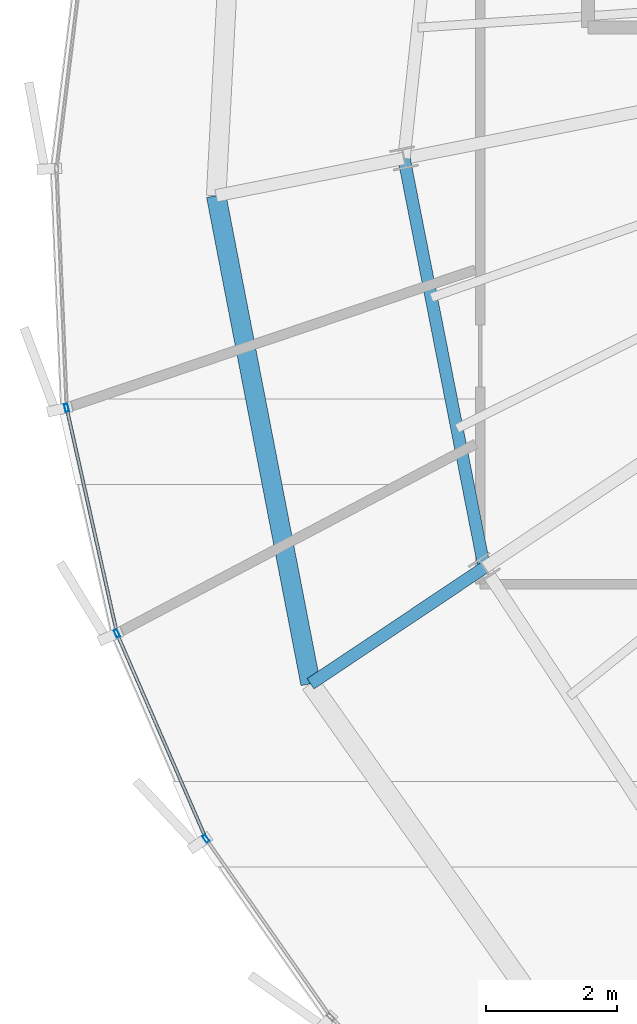
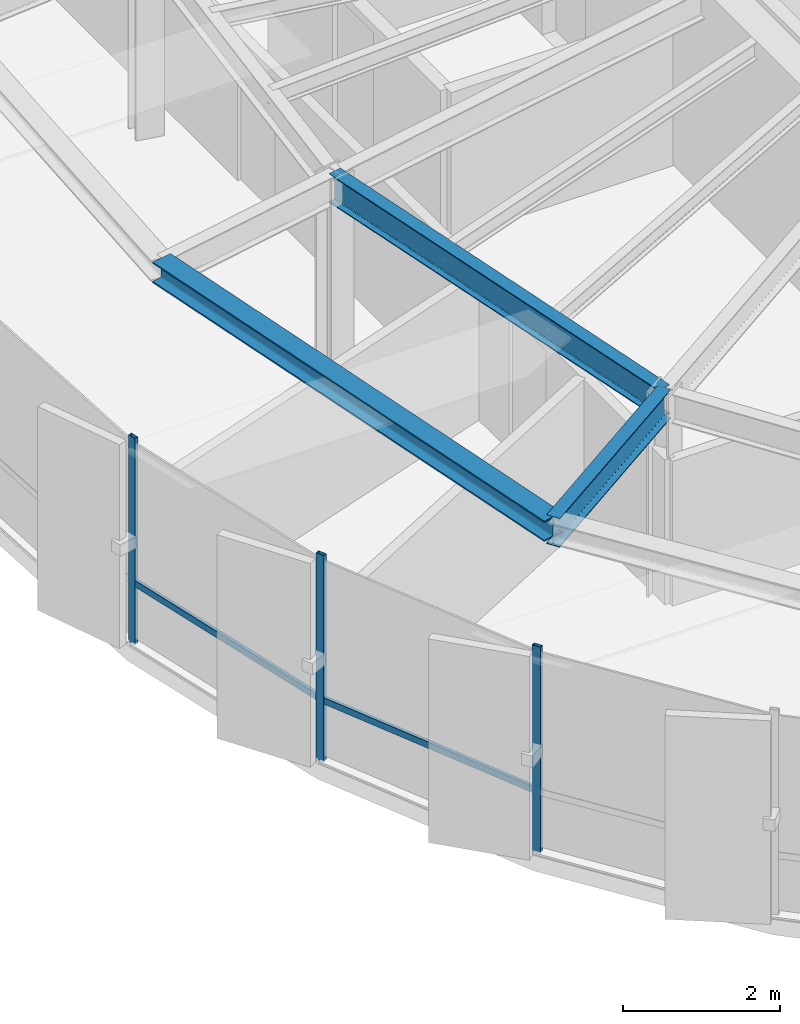
# One storey, part 4 of 35: 5 members, 3 beams, 1 element without a shape of its own.
"""IFC4 building model written with IfcOpenShell, lengths in metres."""

from ifc_helpers import new_model, si_unit, direction, frame, origin, origin_2d, place, context, subcontext, project, spatial, hollow_rectangle, i_section, extrude, source, transform, mapped, material, layer, layer_set, material_profile, profile_set, type_object, element, aggregate, save


model = new_model("IFC4")

# Units and contexts
model_context = context("Model", 3, precision=1e-05, world=origin(), true_north=direction((0.0, 1.0)))
body_context = subcontext(model_context, "Body", "Model", "MODEL_VIEW")
ifc_project = project(units=[si_unit("LENGTHUNIT", "METRE"), si_unit("AREAUNIT", "SQUARE_METRE"), si_unit("VOLUMEUNIT", "CUBIC_METRE"), si_unit("PLANEANGLEUNIT", "RADIAN"), si_unit("MASSUNIT", "GRAM", prefix="KILO"), si_unit("THERMODYNAMICTEMPERATUREUNIT", "KELVIN")], contexts=[model_context])

# Site, building, storey
site_placement = place(None, origin())
site = spatial("IfcSite", under=ifc_project, at=site_placement, CompositionType="ELEMENT")
building_placement = place(site_placement, origin())
building = spatial("IfcBuilding", under=site, at=building_placement, Name="Kethvar Cultural Tower", CompositionType="ELEMENT")
storey_placement = place(building_placement, frame((0.0, 0.0, 249.10009765625)))
storey = spatial("IfcBuildingStorey", under=building, at=storey_placement, Name="L65", CompositionType="ELEMENT", Elevation=249.10009765625)

# Beams
ifc_material_1 = material(Name="Steel S355J2", Category="steel")
ifc_material_profile_1 = material_profile(ifc_material_1, i_section(OverallWidth=0.18994140625, OverallDepth=0.449951171875, WebThickness=0.009521484375, FlangeThickness=0.0146484375, FilletRadius=0.02099609375, at=origin_2d()), Name="Steel S355J2 — IPE450")
ifc_profile_set_1 = profile_set([ifc_material_profile_1], Name="Steel S355J2 — IPE450")
beam_type_1 = type_object("IfcBeamType", Name="BM-IPE450", PredefinedType="BEAM", material=ifc_profile_set_1)
shared_shape_1 = source(origin(), body_context, "Body", "SweptSolid", [
    extrude(i_section(OverallWidth=0.18994140625, OverallDepth=0.449951171875, WebThickness=0.009521484375, FlangeThickness=0.0146484375, FilletRadius=0.02099609375, at=origin_2d()), origin(), (0.0, 0.0, 1.0), 3.199951171875),
])
beam_1_placement = place(storey_placement, frame((32.912841796875, 18.52099609375, 2.98291015625), z_axis=(-0.831462943996, -0.555580212716, 0.0), x_axis=(0.555580212716, -0.831462943996, 0.0)))
element("IfcBeam", 1, at=beam_1_placement, inside=storey, type_object=beam_type_1, Name="L65 Perimeter Cantilever Beam RC-10", PredefinedType="BEAM", context=body_context, shape_type="MappedRepresentation", body=[
    mapped(shared_shape_1, transform((0.0, 0.0, 0.0), scale=1.0)),
])
shared_shape_2 = source(origin(), body_context, "Body", "SweptSolid", [
    extrude(i_section(OverallWidth=0.18994140625, OverallDepth=0.449951171875, WebThickness=0.009521484375, FlangeThickness=0.0146484375, FilletRadius=0.02099609375, at=origin_2d()), origin(), (0.0, 0.0, 1.0), 6.391357421875),
])
beam_2_placement = place(storey_placement, frame((31.68310546875, 24.79296875, 2.98291015625), z_axis=(0.192405084368, -0.981315588131, 0.0), x_axis=(0.981315588131, 0.192405084368, 0.0)))
element("IfcBeam", 2, at=beam_2_placement, inside=storey, type_object=beam_type_1, Name="L65 Column Ring Tie Beam CR-09", PredefinedType="BEAM", context=body_context, shape_type="MappedRepresentation", body=[
    mapped(shared_shape_2, transform((0.0, 0.0, 0.0), scale=1.0)),
])
ifc_material_profile_2 = material_profile(ifc_material_1, i_section(OverallWidth=0.300048828125, OverallDepth=0.320068359375, WebThickness=0.011474609375, FlangeThickness=0.0205078125, FilletRadius=0.027099609375, at=origin_2d()), Name="Steel S355J2 — HEB320")
ifc_profile_set_2 = profile_set([ifc_material_profile_2], Name="Steel S355J2 — HEB320")
beam_type_2 = type_object("IfcBeamType", Name="BM-SP320", PredefinedType="SPANDREL", material=ifc_profile_set_2)
shared_shape_3 = source(origin(), body_context, "Body", "SweptSolid", [
    extrude(i_section(OverallWidth=0.300048828125, OverallDepth=0.320068359375, WebThickness=0.011474609375, FlangeThickness=0.0205078125, FilletRadius=0.027099609375, at=origin_2d()), origin(), (0.0, 0.0, 1.0), 7.615966796875),
])
beam_3_placement = place(storey_placement, frame((28.80615234375, 24.220703125, 3.0478515625), z_axis=(0.18986741188, -0.981809740177, 0.0), x_axis=(0.981809740177, 0.18986741188, 0.0)))
element("IfcBeam", 3, at=beam_3_placement, inside=storey, type_object=beam_type_2, Name="L65 Perimeter Spandrel Beam SP-09", PredefinedType="SPANDREL", context=body_context, shape_type="MappedRepresentation", body=[
    mapped(shared_shape_3, transform((0.0, 0.0, 0.0), scale=1.0)),
])

# Curtain wall, members
ifc_material_2 = material(Name="Aluminium 6063-T6", Category="aluminium")
ifc_layer = layer(ifc_material_2, 0.179931640625, Name="Aluminium 6063-T6", Category="aluminium")
ifc_layer_set = layer_set([ifc_layer], Name="Aluminium 6063-T6 (180 mm)")
curtain_wall_type = type_object("IfcCurtainWallType", Name="CW-SYS-05-Z56", PredefinedType="NOTDEFINED", material=ifc_layer_set)
curtain_wall_placement = place(storey_placement, origin())
curtain_wall = element("IfcCurtainWall", 4, at=curtain_wall_placement, inside=storey, type_object=curtain_wall_type, Name="L65 Curtain Wall Run 03", PredefinedType="NOTDEFINED")
ifc_material_profile_3 = material_profile(ifc_material_2, hollow_rectangle(XDim=0.054931640625, YDim=0.1201171875, WallThickness=0.00390625, at=origin_2d()), Name="Aluminium 6063-T6 — RHS120x55x4")
ifc_profile_set_3 = profile_set([ifc_material_profile_3], Name="Aluminium 6063-T6 — RHS120x55x4")
member_type_1 = type_object("IfcMemberType", Name="CW-SYS-05-Z56-MUL", PredefinedType="MULLION", material=ifc_profile_set_3)
shared_shape_4 = source(origin(), body_context, "Body", "SweptSolid", [
    extrude(hollow_rectangle(XDim=0.054931640625, YDim=0.1201171875, WallThickness=0.00390625, at=origin_2d()), origin(), (0.0, 0.0, 1.0), 3.2099609375),
])
member_1_placement = place(storey_placement, frame((26.51416015625, 20.97119140625, 0.0), z_axis=(0.0, 0.0, 1.0), x_axis=(0.975920569108, 0.218126208403, 0.0)))
member_1 = element("IfcMember", 5, at=member_1_placement, type_object=member_type_1, Name="CW-L65-R03 Mullion 3", PredefinedType="MULLION", context=body_context, shape_type="MappedRepresentation", body=[
    mapped(shared_shape_4, transform((0.0, 0.0, 0.0), scale=1.0)),
])
member_2_placement = place(storey_placement, frame((27.284912109375, 17.5146484375, 0.0), z_axis=(0.0, 0.0, 1.0), x_axis=(0.917296535366, 0.398204804347, 0.0)))
member_2 = element("IfcMember", 6, at=member_2_placement, type_object=member_type_1, Name="CW-L65-R03 Mullion 4", PredefinedType="MULLION", context=body_context, shape_type="MappedRepresentation", body=[
    mapped(shared_shape_4, transform((0.0, 0.0, 0.0), scale=1.0)),
])
member_3_placement = place(storey_placement, frame((28.647216796875, 14.371337890625, 0.0), z_axis=(0.0, 0.0, 1.0), x_axis=(0.819142033367, 0.573590733164, 0.0)))
member_3 = element("IfcMember", 7, at=member_3_placement, type_object=member_type_1, Name="CW-L65-R03 Mullion 5", PredefinedType="MULLION", context=body_context, shape_type="MappedRepresentation", body=[
    mapped(shared_shape_4, transform((0.0, 0.0, 0.0), scale=1.0)),
])
ifc_material_profile_4 = material_profile(ifc_material_2, hollow_rectangle(XDim=0.050048828125, YDim=0.10009765625, WallThickness=0.00390625, at=origin_2d()), Name="Aluminium 6063-T6 — RHS100x50x4")
ifc_profile_set_4 = profile_set([ifc_material_profile_4], Name="Aluminium 6063-T6 — RHS100x50x4")
member_type_2 = type_object("IfcMemberType", Name="CW-SYS-05-Z56-TRN", PredefinedType="USERDEFINED", material=ifc_profile_set_4)
shared_shape_5 = source(origin(), body_context, "Body", "SweptSolid", [
    extrude(hollow_rectangle(XDim=0.050048828125, YDim=0.10009765625, WallThickness=0.00390625, at=origin_2d()), origin(), (0.0, 0.0, 1.0), 3.481201171875),
])
member_4_placement = place(storey_placement, frame((26.522705078125, 20.9326171875, 0.949951171875), z_axis=(0.21818525529, -0.975907369771, 0.0), x_axis=(0.975907369771, 0.21818525529, 0.0)))
member_4 = element("IfcMember", 8, at=member_4_placement, type_object=member_type_2, Name="CW-L65-R03 Transom 3", ObjectType="TRANSOM", PredefinedType="USERDEFINED", context=body_context, shape_type="MappedRepresentation", body=[
    mapped(shared_shape_5, transform((0.0, 0.0, 0.0), scale=1.0)),
])
shared_shape_6 = source(origin(), body_context, "Body", "SweptSolid", [
    extrude(hollow_rectangle(XDim=0.050048828125, YDim=0.10009765625, WallThickness=0.00390625, at=origin_2d()), origin(), (0.0, 0.0, 1.0), 3.36669921875),
])
member_5_placement = place(storey_placement, frame((27.30078125, 17.478271484375, 0.949951171875), z_axis=(0.398177166272, -0.917308532752, 0.0), x_axis=(0.917308532752, 0.398177166272, 0.0)))
member_5 = element("IfcMember", 9, at=member_5_placement, type_object=member_type_2, Name="CW-L65-R03 Transom 4", ObjectType="TRANSOM", PredefinedType="USERDEFINED", context=body_context, shape_type="MappedRepresentation", body=[
    mapped(shared_shape_6, transform((0.0, 0.0, 0.0), scale=1.0)),
])
aggregate(curtain_wall, [member_1, member_2, member_3, member_4, member_5])

save(model, "model.ifc")
